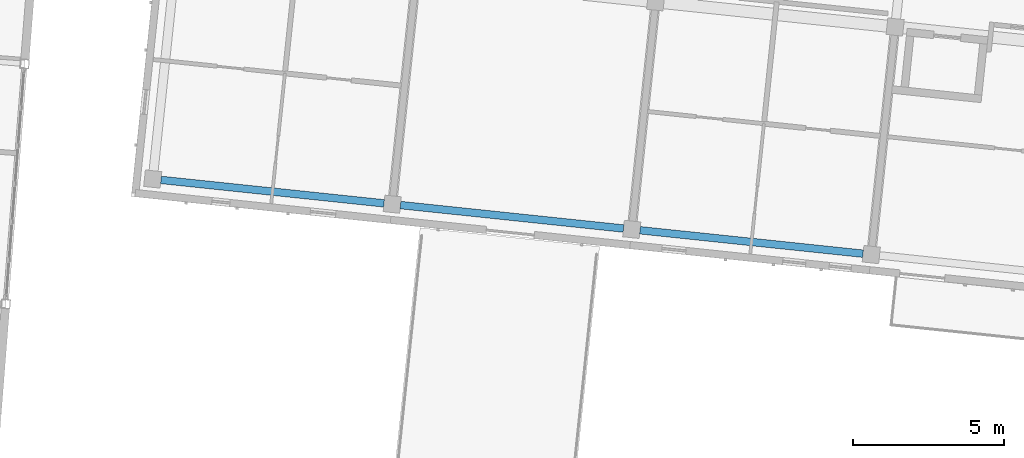
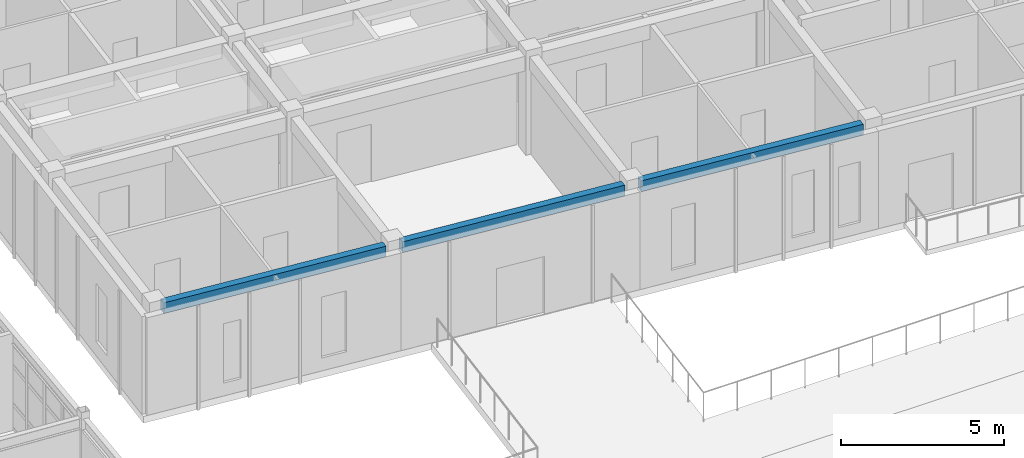
# One storey, part 48 of 150: 3 beams.
"""IFC4 building model written with IfcOpenShell, lengths in metres."""

from ifc_helpers import new_model, si_unit, direction, frame, origin, origin_2d, place, context, subcontext, project, spatial, rectangle, extrude, material, material_profile, profile_set, type_object, element, save


model = new_model("IFC4")

# Units and contexts
model_context = context("Model", 3, precision=1e-05, world=origin(), true_north=direction((0.0, 1.0)))
body_context = subcontext(model_context, "Body", "Model", "MODEL_VIEW")
ifc_project = project(units=[si_unit("LENGTHUNIT", "METRE"), si_unit("AREAUNIT", "SQUARE_METRE"), si_unit("VOLUMEUNIT", "CUBIC_METRE"), si_unit("PLANEANGLEUNIT", "RADIAN"), si_unit("MASSUNIT", "GRAM", prefix="KILO")], contexts=[model_context])

# Site, building, storey
site_placement = place(None, origin())
site = spatial("IfcSite", under=ifc_project, at=site_placement, CompositionType="ELEMENT")
building_placement = place(site_placement, origin())
building = spatial("IfcBuilding", under=site, at=building_placement, Name="Kestramere Prow Commons", CompositionType="ELEMENT")
storey_placement = place(building_placement, frame((0.0, 0.0, 4.5)))
storey = spatial("IfcBuildingStorey", under=building, at=storey_placement, Name="L01", CompositionType="ELEMENT", Elevation=4.5)

# Beams
ifc_material = material(Name="Precast concrete C40/50", Category="concrete")
ifc_material_profile = material_profile(ifc_material, rectangle(XDim=0.25, YDim=0.39990234375, at=origin_2d()), Name="PC-SP 250x400")
ifc_profile_set = profile_set([ifc_material_profile], Name="Precast concrete C40/50")
beam_type = type_object("IfcBeamType", Name="SP-EXT-01 PC-SP 250x400", PredefinedType="SPANDREL", material=ifc_profile_set)
for number, where, z_axis, x_axis, name in (
    (1, (110.2734375, 94.771240234375, 3.449951171875), (0.994520884665, -0.104538079019, 0.0), (0.104538079019, 0.994520884665, 0.0), "Block B L01 Longitudinal Beam 1-1"),
    (2, (118.229736328125, 93.93505859375, 3.449951171875), (0.994520884665, -0.104538079019, 0.0), (0.104538079019, 0.994520884665, 0.0), "Block B L01 Longitudinal Beam 1-2"),
    (3, (126.185791015625, 93.098876953125, 3.449951171875), (0.994520884665, -0.104538079019, 0.0), (0.104538079019, 0.994520884665, 0.0), "Block B L01 Longitudinal Beam 1-3"),
):
    element("IfcBeam", number, at=place(storey_placement, frame(where, z_axis=z_axis, x_axis=x_axis)), inside=storey, type_object=beam_type, Name=name, PredefinedType="SPANDREL", context=body_context, shape_type="SweptSolid", body=[
        extrude(rectangle(XDim=0.25, YDim=0.39990234375, at=origin_2d()), origin(), (0.0, 0.0, 1.0), 7.449951171875),
    ])

save(model, "model.ifc")
